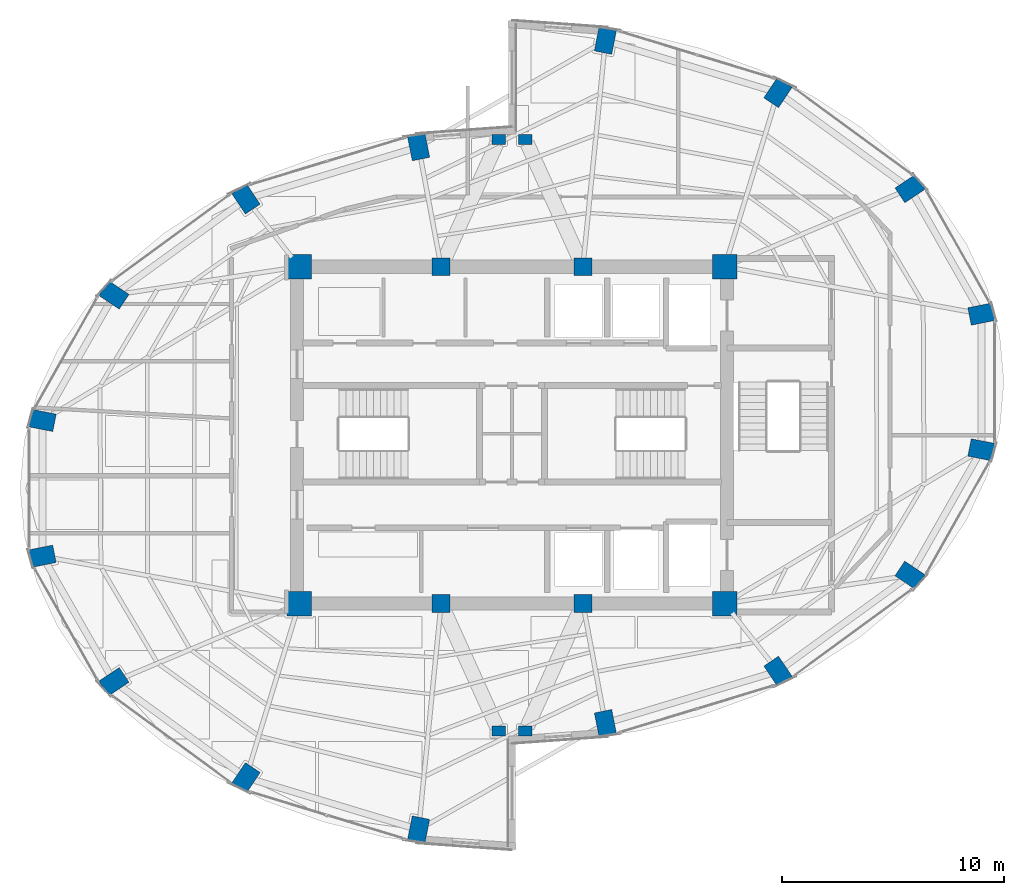
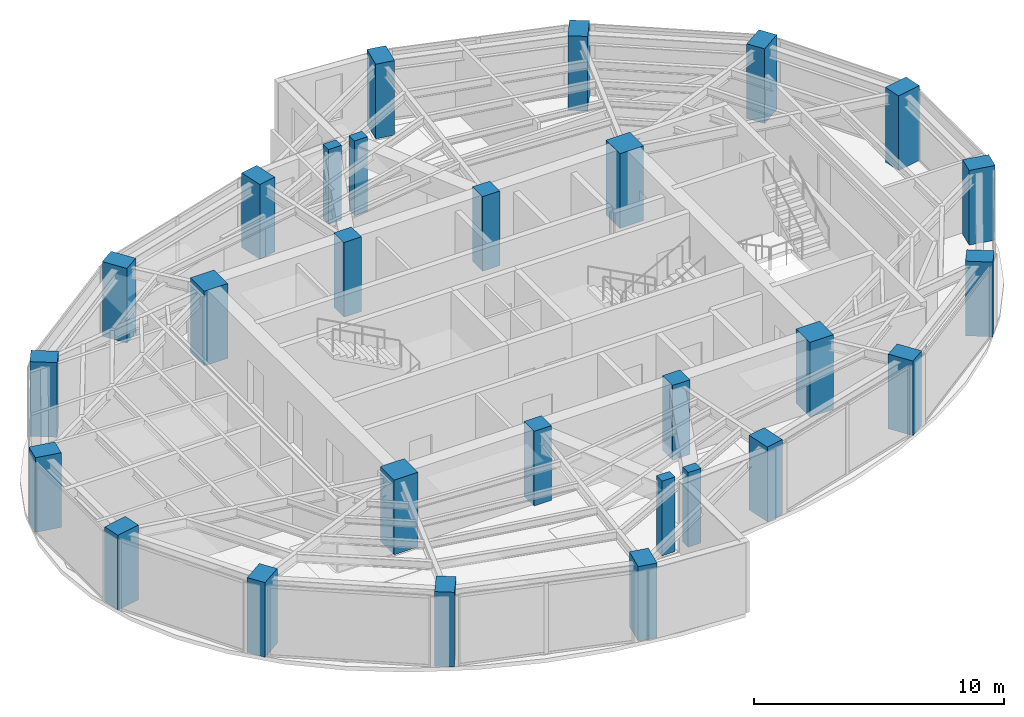
# One storey, part 1 of 23: 28 columns.
"""IFC4 building model written with IfcOpenShell, lengths in metres."""

from ifc_helpers import new_model, si_unit, direction, frame, origin, origin_2d, place, context, subcontext, project, spatial, rectangle, extrude, material, material_profile, profile_set, type_object, element, save


model = new_model("IFC4")

# Units and contexts
model_context = context("Model", 3, precision=1e-05, world=origin(), true_north=direction((0.0, 1.0)))
body_context = subcontext(model_context, "Body", "Model", "MODEL_VIEW")
ifc_project = project(units=[si_unit("LENGTHUNIT", "METRE"), si_unit("AREAUNIT", "SQUARE_METRE"), si_unit("VOLUMEUNIT", "CUBIC_METRE"), si_unit("PLANEANGLEUNIT", "RADIAN"), si_unit("MASSUNIT", "GRAM", prefix="KILO")], contexts=[model_context])

# Site, building, storey
site_placement = place(None, origin())
site = spatial("IfcSite", under=ifc_project, at=site_placement, CompositionType="ELEMENT")
building_placement = place(site_placement, origin())
building = spatial("IfcBuilding", under=site, at=building_placement, Name="Lazwardi Medical Tower", CompositionType="ELEMENT")
storey_placement = place(building_placement, frame((0.0, 0.0, 213.072021484375)))
storey = spatial("IfcBuildingStorey", under=building, at=storey_placement, Name="L55", CompositionType="ELEMENT", Elevation=213.072021484375)

# Columns
ifc_material_1 = material(Name="Concrete C80/95", Category="concrete")
ifc_material_profile_1 = material_profile(ifc_material_1, rectangle(XDim=1.10009765625, YDim=1.10009765625, at=origin_2d()), Name="RC 1100x1100")
ifc_profile_set_1 = profile_set([ifc_material_profile_1], Name="Concrete C80/95")
column_type_1 = type_object("IfcColumnType", Name="COL-CC-L", PredefinedType="COLUMN", material=ifc_profile_set_1)
for number, where, z_axis, x_axis, name in (
    (1, (26.39990234375, 20.39990234375, 0.0), (0.0, 0.0, 1.0), (1.0, 0.0, 0.0), "Core column CC-01 CC1 L55"),
    (2, (45.60009765625, 20.39990234375, 0.0), (0.0, 0.0, 1.0), (1.0, 0.0, 0.0), "Core column CC-01 CC4 L55"),
    (3, (45.60009765625, 35.60009765625, 0.0), (0.0, 0.0, 1.0), (1.0, 0.0, 0.0), "Core column CC-01 CC5 L55"),
    (4, (26.39990234375, 35.60009765625, 0.0), (0.0, 0.0, 1.0), (1.0, 0.0, 0.0), "Core column CC-01 CC8 L55"),
):
    element("IfcColumn", number, at=place(storey_placement, frame(where, z_axis=z_axis, x_axis=x_axis)), inside=storey, type_object=column_type_1, Name=name, PredefinedType="COLUMN", context=body_context, shape_type="SweptSolid", body=[
        extrude(rectangle(XDim=1.10009765625, YDim=1.10009765625, at=origin_2d()), origin(), (0.0, 0.0, 1.0), 3.64794921875),
    ])
ifc_material_2 = material(Name="Concrete C60/75", Category="concrete")
ifc_material_profile_2 = material_profile(ifc_material_2, rectangle(XDim=0.800048828125, YDim=0.800048828125, at=origin_2d()), Name="RC 800x800")
ifc_profile_set_2 = profile_set([ifc_material_profile_2], Name="Concrete C60/75")
column_type_2 = type_object("IfcColumnType", Name="COL-CC-U", PredefinedType="COLUMN", material=ifc_profile_set_2)
for number, where, z_axis, x_axis, name in (
    (5, (32.800048828125, 20.39990234375, 0.0), (0.0, 0.0, 1.0), (1.0, 0.0, 0.0), "Core column CC-03 CC2 L55"),
    (6, (39.199951171875, 20.39990234375, 0.0), (0.0, 0.0, 1.0), (1.0, 0.0, 0.0), "Core column CC-03 CC3 L55"),
    (7, (39.199951171875, 35.60009765625, 0.0), (0.0, 0.0, 1.0), (1.0, 0.0, 0.0), "Core column CC-03 CC6 L55"),
    (8, (32.800048828125, 35.60009765625, 0.0), (0.0, 0.0, 1.0), (1.0, 0.0, 0.0), "Core column CC-03 CC7 L55"),
):
    element("IfcColumn", number, at=place(storey_placement, frame(where, z_axis=z_axis, x_axis=x_axis)), inside=storey, type_object=column_type_2, Name=name, PredefinedType="COLUMN", context=body_context, shape_type="SweptSolid", body=[
        extrude(rectangle(XDim=0.800048828125, YDim=0.800048828125, at=origin_2d()), origin(), (0.0, 0.0, 1.0), 3.64794921875),
    ])
ifc_material_profile_3 = material_profile(ifc_material_2, rectangle(XDim=1.10009765625, YDim=0.800048828125, at=origin_2d()), Name="CFT-RECT 1100x800")
ifc_profile_set_3 = profile_set([ifc_material_profile_3], Name="Concrete C60/75")
column_type_3 = type_object("IfcColumnType", Name="COL-MC-Z4", PredefinedType="COLUMN", material=ifc_profile_set_3)
for number, where, z_axis, x_axis, name in (
    (9, (40.214111328125, 15.001708984375, 0.0), (0.0, 0.0, 1.0), (0.195090322016, -0.980785280403, 0.0), "Mega column MC-06 M01 L55"),
    (10, (48.000244140625, 17.345947265625, 0.0), (0.0, 0.0, 1.0), (0.55557023302, -0.831469612303, 0.0), "Mega column MC-06 M02 L55"),
    (11, (53.959716796875, 21.677490234375, 0.0), (0.0, 0.0, 1.0), (0.831469612303, -0.55557023302, 0.0), "Mega column MC-06 M03 L55"),
    (12, (57.18505859375, 27.337158203125, 0.0), (0.0, 0.0, 1.0), (0.980785280403, -0.195090322016, 0.0), "Mega column MC-06 M04 L55"),
    (13, (57.18505859375, 33.462890625, 0.0), (0.0, 0.0, 1.0), (0.980785280403, 0.195090322016, 0.0), "Mega column MC-06 M05 L55"),
    (14, (53.959716796875, 39.12255859375, 0.0), (0.0, 0.0, 1.0), (0.831469612303, 0.55557023302, 0.0), "Mega column MC-06 M06 L55"),
    (15, (48.000244140625, 43.4541015625, 0.0), (0.0, 0.0, 1.0), (0.55557023302, 0.831469612303, 0.0), "Mega column MC-06 M07 L55"),
    (16, (40.214111328125, 45.79833984375, 0.0), (0.0, 0.0, 1.0), (0.195090322016, 0.980785280403, 0.0), "Mega column MC-06 M08 L55"),
    (17, (31.785888671875, 40.998291015625, 0.0), (0.0, 0.0, 1.0), (-0.195090322016, 0.980785280403, 0.0), "Mega column MC-06 M09 L55"),
    (18, (23.999755859375, 38.654052734375, 0.0), (0.0, 0.0, 1.0), (-0.55557023302, 0.831469612303, 0.0), "Mega column MC-06 M10 L55"),
    (19, (18.040283203125, 34.322509765625, 0.0), (0.0, 0.0, 1.0), (-0.831469612303, 0.55557023302, 0.0), "Mega column MC-06 M11 L55"),
    (20, (14.81494140625, 28.662841796875, 0.0), (0.0, 0.0, 1.0), (-0.980785280403, 0.195090322016, 0.0), "Mega column MC-06 M12 L55"),
    (21, (14.81494140625, 22.537109375, 0.0), (0.0, 0.0, 1.0), (-0.980785280403, -0.195090322016, 0.0), "Mega column MC-06 M13 L55"),
    (22, (18.040283203125, 16.87744140625, 0.0), (0.0, 0.0, 1.0), (-0.831469612303, -0.55557023302, 0.0), "Mega column MC-06 M14 L55"),
    (23, (23.999755859375, 12.5458984375, 0.0), (0.0, 0.0, 1.0), (-0.55557023302, -0.831469612303, 0.0), "Mega column MC-06 M15 L55"),
    (24, (31.785888671875, 10.20166015625, 0.0), (0.0, 0.0, 1.0), (-0.195090322016, -0.980785280403, 0.0), "Mega column MC-06 M16 L55"),
):
    element("IfcColumn", number, at=place(storey_placement, frame(where, z_axis=z_axis, x_axis=x_axis)), inside=storey, type_object=column_type_3, Name=name, PredefinedType="COLUMN", context=body_context, shape_type="SweptSolid", body=[
        extrude(rectangle(XDim=1.10009765625, YDim=0.800048828125, at=origin_2d()), origin(), (0.0, 0.0, 1.0), 3.64794921875),
    ])
ifc_material_profile_4 = material_profile(ifc_material_2, rectangle(XDim=0.60009765625, YDim=0.449951171875, at=origin_2d()), Name="RC 600x450")
ifc_profile_set_4 = profile_set([ifc_material_profile_4], Name="Concrete C60/75")
column_type_4 = type_object("IfcColumnType", Name="COL-PL-IW", PredefinedType="PILASTER", material=ifc_profile_set_4)
for number, where, z_axis, x_axis, name in (
    (25, (35.39990234375, 41.35009765625, 0.0), (0.0, 0.0, 1.0), (1.0, 0.0, 0.0), "Iwan pilaster column PL-C1 PL1 L55"),
    (26, (36.60009765625, 41.35009765625, 0.0), (0.0, 0.0, 1.0), (1.0, 0.0, 0.0), "Iwan pilaster column PL-C1 PL2 L55"),
    (27, (35.39990234375, 14.64990234375, 0.0), (0.0, 0.0, 1.0), (1.0, 0.0, 0.0), "Iwan pilaster column PL-C1 PL3 L55"),
    (28, (36.60009765625, 14.64990234375, 0.0), (0.0, 0.0, 1.0), (1.0, 0.0, 0.0), "Iwan pilaster column PL-C1 PL4 L55"),
):
    element("IfcColumn", number, at=place(storey_placement, frame(where, z_axis=z_axis, x_axis=x_axis)), inside=storey, type_object=column_type_4, Name=name, PredefinedType="PILASTER", context=body_context, shape_type="SweptSolid", body=[
        extrude(rectangle(XDim=0.60009765625, YDim=0.449951171875, at=origin_2d()), origin(), (0.0, 0.0, 1.0), 3.64794921875),
    ])

save(model, "model.ifc")
